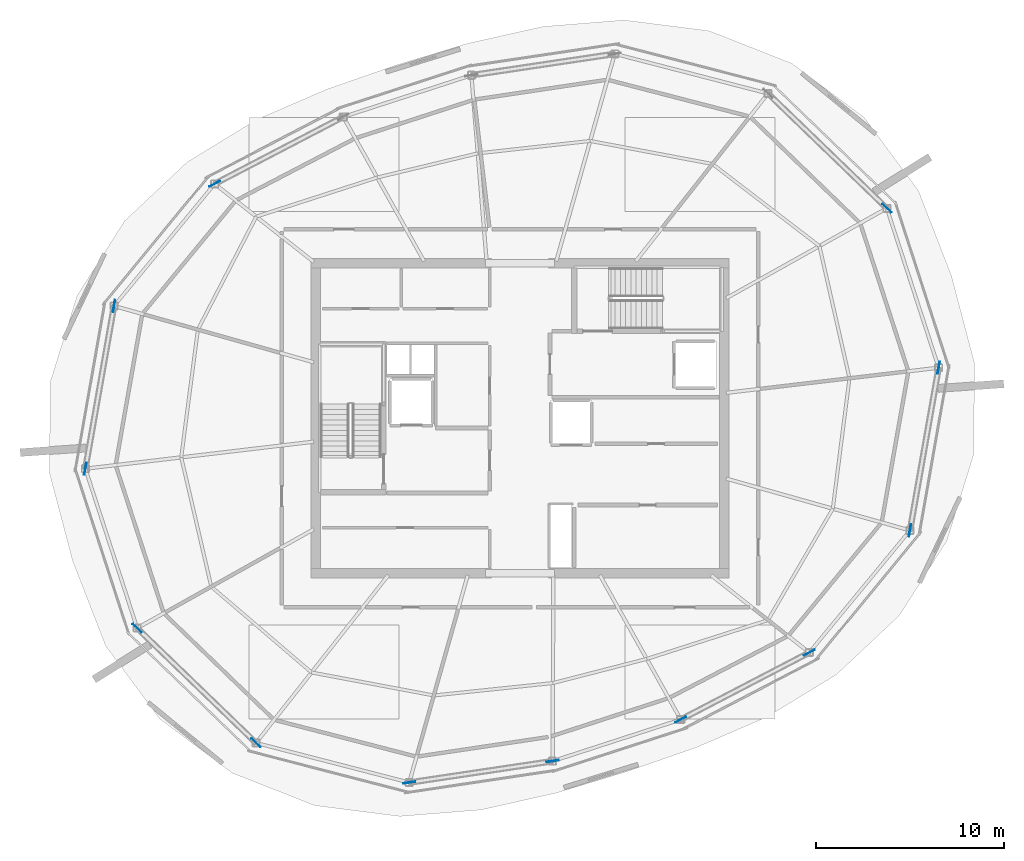
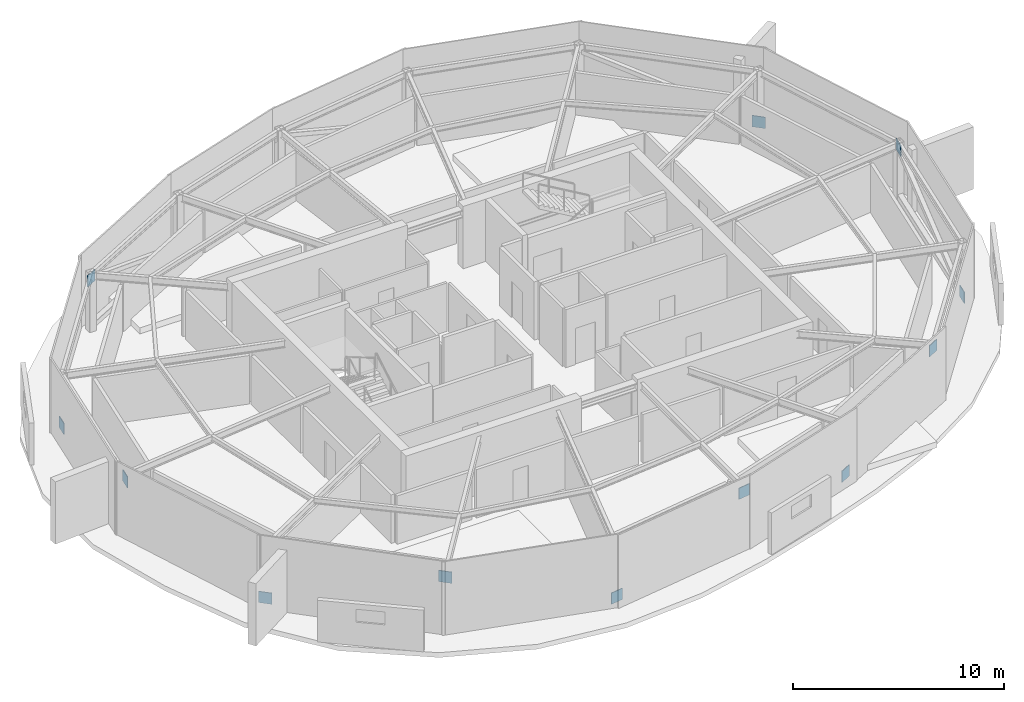
# One storey, part 6 of 10: 12 plates.
"""IFC4 building model written with IfcOpenShell, lengths in metres."""

from ifc_helpers import new_model, si_unit, direction, frame, origin, origin_2d, place, context, subcontext, project, spatial, rectangle, extrude, material, layer, layer_set, type_object, element, save


model = new_model("IFC4")

# Units and contexts
model_context = context("Model", 3, precision=1e-05, world=origin(), true_north=direction((0.0, 1.0)))
body_context = subcontext(model_context, "Body", "Model", "MODEL_VIEW")
ifc_project = project(units=[si_unit("LENGTHUNIT", "METRE"), si_unit("AREAUNIT", "SQUARE_METRE"), si_unit("VOLUMEUNIT", "CUBIC_METRE"), si_unit("PLANEANGLEUNIT", "RADIAN"), si_unit("MASSUNIT", "GRAM", prefix="KILO")], contexts=[model_context])

# Site, building, storey
site_placement = place(None, origin())
site = spatial("IfcSite", under=ifc_project, at=site_placement, CompositionType="ELEMENT")
building_placement = place(site_placement, origin())
building = spatial("IfcBuilding", under=site, at=building_placement, Name="Kazma Halo Residences", CompositionType="ELEMENT")
storey_placement = place(building_placement, frame((0.0, 0.0, 374.0)))
storey = spatial("IfcBuildingStorey", under=building, at=storey_placement, Name="L94", CompositionType="ELEMENT", Elevation=374.0)

# Plates
ifc_material = material(Name="Steel S355", Category="steel")
ifc_layer = layer(ifc_material, 0.0400390625)
ifc_layer_set = layer_set([ifc_layer], Name="Steel S355")
plate_type = type_object("IfcPlateType", Name="PLT-GUSSET-40", PredefinedType="SHEET", material=ifc_layer_set)
for number, where, z_axis, x_axis, name in (
    (1, (67.940673828125, 53.167236328125, -0.044921875), (0.0, 0.0, 1.0), (-0.719342064482, 0.694656025863, 0.0), "L94 crown brace lower gusset 01"),
    (2, (32.184814453125, 54.467529296875, 2.655029296875), (0.0, 0.0, 1.0), (-0.886949727325, -0.461865977529, 0.0), "L94 crown brace upper gusset 05"),
    (3, (26.830078125, 47.970458984375, -0.044921875), (0.0, 0.0, 1.0), (-0.173656186938, -0.984806340728, 0.0), "L94 crown brace lower gusset 07"),
    (4, (25.3037109375, 39.313720703125, 2.655029296875), (0.0, 0.0, 1.0), (-0.173656186938, -0.984806340728, 0.0), "L94 crown brace upper gusset 07"),
    (5, (28.059326171875, 30.832763671875, -0.044921875), (0.0, 0.0, 1.0), (0.719342064482, -0.694656025863, 0.0), "L94 crown brace lower gusset 09"),
    (6, (34.382568359375, 24.726318359375, 2.655029296875), (0.0, 0.0, 1.0), (0.719342064482, -0.694656025863, 0.0), "L94 crown brace upper gusset 09"),
    (7, (42.53369140625, 22.61767578125, -0.044921875), (0.0, 0.0, 1.0), (0.98903421845, 0.147686542161, 0.0), "L94 crown brace lower gusset 11"),
    (8, (50.1591796875, 23.75634765625, 2.655029296875), (0.0, 0.0, 1.0), (0.98903421845, 0.147686542161, 0.0), "L94 crown brace upper gusset 11"),
    (9, (56.9765625, 25.97119140625, -0.044921875), (0.0, 0.0, 1.0), (0.886949727325, 0.461865977529, 0.0), "L94 crown brace lower gusset 13"),
    (10, (63.815185546875, 29.532470703125, 2.655029296875), (0.0, 0.0, 1.0), (0.886949727325, 0.461865977529, 0.0), "L94 crown brace upper gusset 13"),
    (11, (69.169921875, 36.029541015625, -0.044921875), (0.0, 0.0, 1.0), (0.173656186938, 0.984806340728, 0.0), "L94 crown brace lower gusset 15"),
    (12, (70.6962890625, 44.686279296875, 2.655029296875), (0.0, 0.0, 1.0), (0.173656186938, 0.984806340728, 0.0), "L94 crown brace upper gusset 15"),
):
    element("IfcPlate", number, at=place(storey_placement, frame(where, z_axis=z_axis, x_axis=x_axis)), inside=storey, type_object=plate_type, Name=name, PredefinedType="SHEET", context=body_context, shape_type="SweptSolid", body=[
        extrude(rectangle(XDim=0.64990234375, YDim=0.0400390625, at=origin_2d()), origin(), (0.0, 0.0, 1.0), 0.64990234375),
    ])

save(model, "model.ifc")
